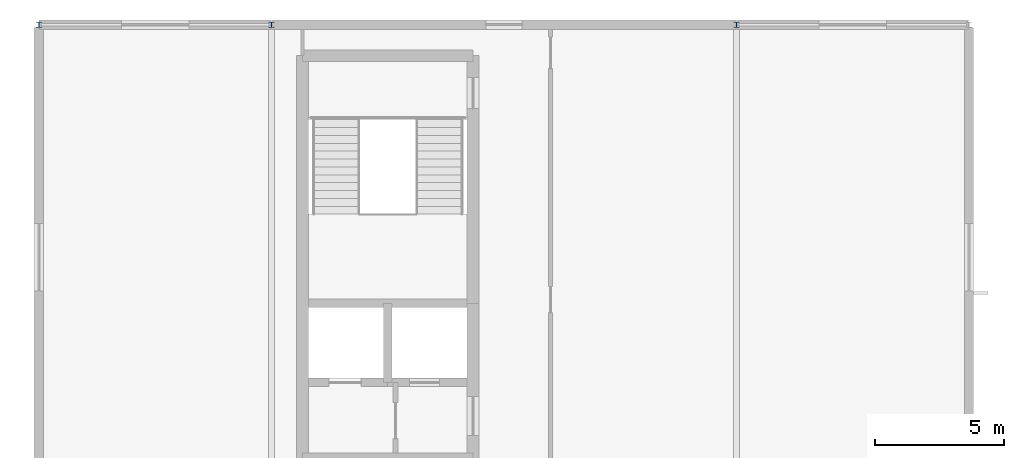
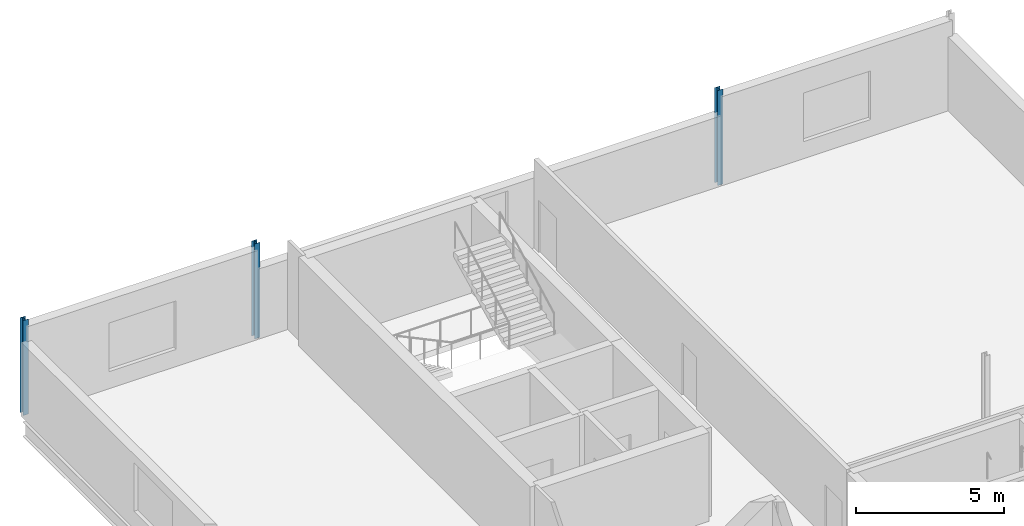
# One storey, part 7 of 35: 3 columns.
"""IFC4 building model written with IfcOpenShell, lengths in metres."""

from ifc_helpers import new_model, si_unit, direction, frame, origin, origin_2d, place, context, subcontext, project, spatial, i_section, extrude, material, material_profile, profile_set, type_object, element, save


model = new_model("IFC4")

# Units and contexts
model_context = context("Model", 3, precision=1e-05, world=origin(), true_north=direction((0.0, 1.0)))
body_context = subcontext(model_context, "Body", "Model", "MODEL_VIEW")
ifc_project = project(units=[si_unit("LENGTHUNIT", "METRE"), si_unit("AREAUNIT", "SQUARE_METRE"), si_unit("VOLUMEUNIT", "CUBIC_METRE"), si_unit("PLANEANGLEUNIT", "RADIAN"), si_unit("MASSUNIT", "GRAM", prefix="KILO")], contexts=[model_context])

# Site, building, storey
site_placement = place(None, origin())
site = spatial("IfcSite", under=ifc_project, at=site_placement, CompositionType="ELEMENT")
building_placement = place(site_placement, origin())
building = spatial("IfcBuilding", under=site, at=building_placement, Name="Kisiwana Market Hall", CompositionType="ELEMENT")
storey_placement = place(building_placement, frame((0.0, 0.0, 61.800048828125)))
storey = spatial("IfcBuildingStorey", under=building, at=storey_placement, Name="L14", CompositionType="ELEMENT", Elevation=61.800048828125)

# Columns
ifc_material = material(Name="Steel S355", Category="steel")
ifc_material_profile = material_profile(ifc_material, i_section(OverallWidth=0.205810546875, OverallDepth=0.209716796875, WebThickness=0.009521484375, FlangeThickness=0.01416015625, FilletRadius=0.01025390625, at=origin_2d()), Name="UC 203x203x60")
ifc_profile_set = profile_set([ifc_material_profile], Name="Steel S355")
column_type = type_object("IfcColumnType", Name="COL-STL-UC060", PredefinedType="COLUMN", material=ifc_profile_set)
for number, where, z_axis, x_axis, name in (
    (1, (0.0, 102.0, 0.0), (0.0, 0.0, 1.0), (1.0, 0.0, 0.0), "Column N/1 (L14) C-1446"),
    (2, (9.0, 102.0, 0.0), (0.0, 0.0, 1.0), (1.0, 0.0, 0.0), "Column N/2 (L14) C-1450"),
    (3, (27.0, 102.0, 0.0), (0.0, 0.0, 1.0), (1.0, 0.0, 0.0), "Column N/4 (L14) C-1455"),
):
    element("IfcColumn", number, at=place(storey_placement, frame(where, z_axis=z_axis, x_axis=x_axis)), inside=storey, type_object=column_type, Name=name, PredefinedType="COLUMN", context=body_context, shape_type="SweptSolid", body=[
        extrude(i_section(OverallWidth=0.205810546875, OverallDepth=0.209716796875, WebThickness=0.009521484375, FlangeThickness=0.01416015625, FilletRadius=0.01025390625, at=origin_2d()), origin(), (0.0, 0.0, 1.0), 3.89990234375),
    ])

save(model, "model.ifc")
